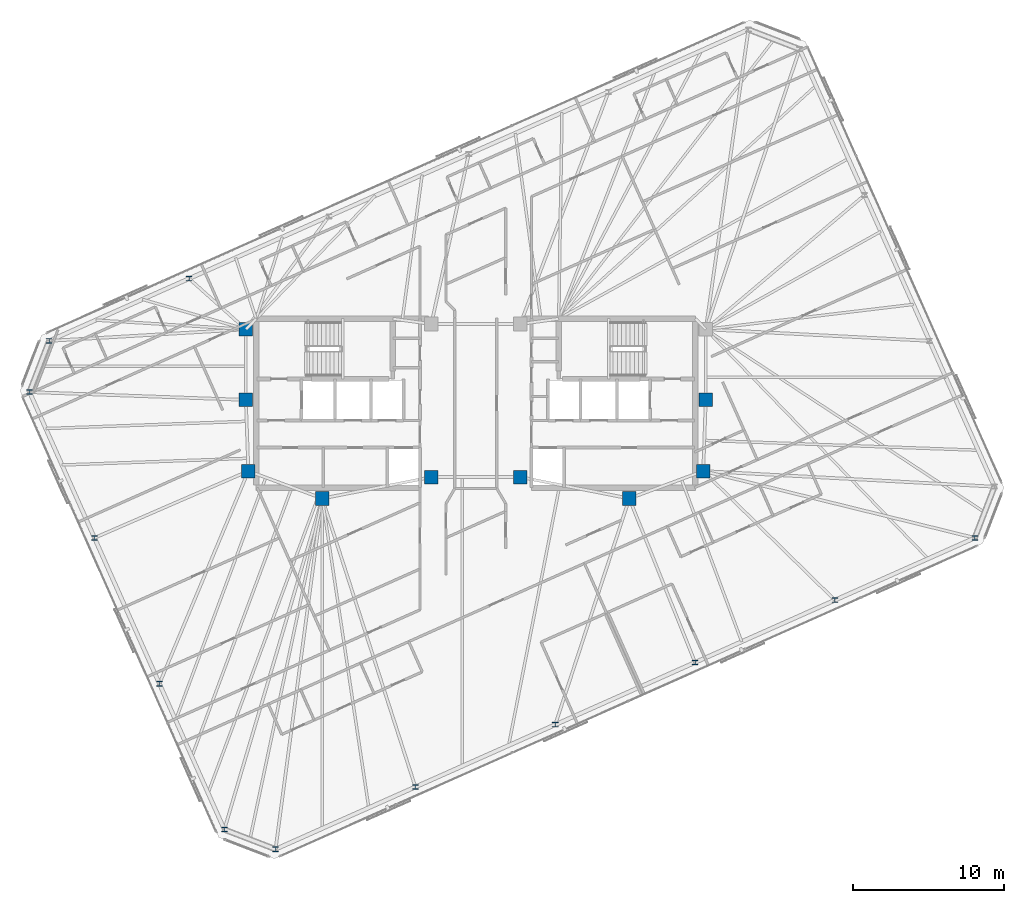
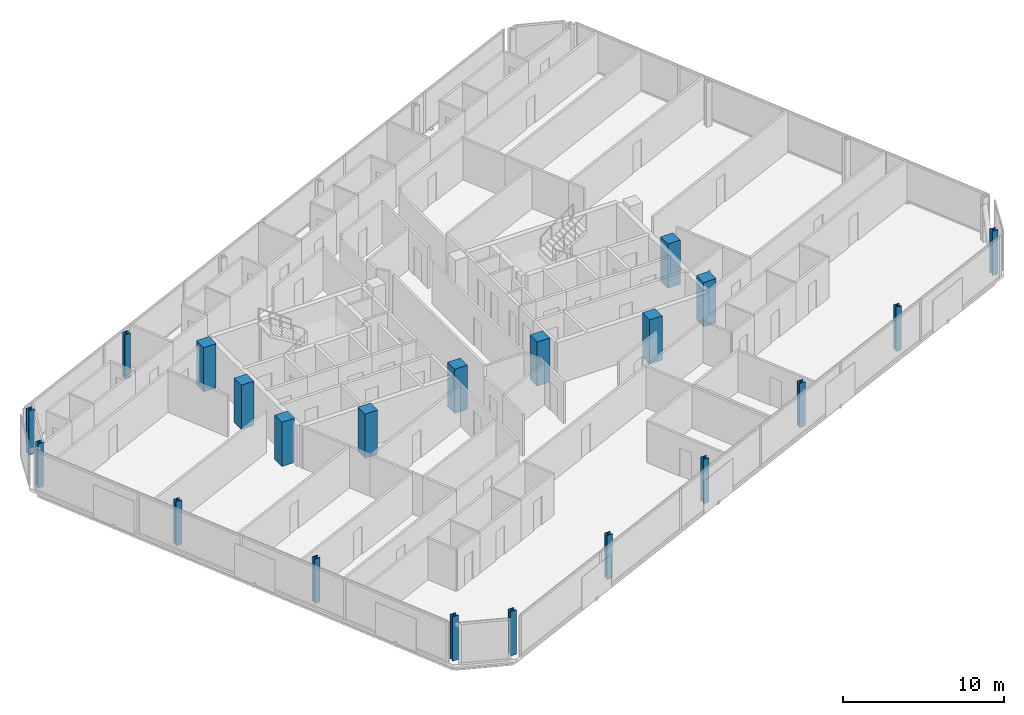
# One storey, part 1 of 19: 21 columns.
"""IFC4 building model written with IfcOpenShell, lengths in metres."""

from ifc_helpers import new_model, si_unit, direction, frame, origin, origin_2d, place, context, subcontext, project, spatial, rectangle, i_section, extrude, material, material_profile, profile_set, type_object, element, save


model = new_model("IFC4")

# Units and contexts
model_context = context("Model", 3, precision=1e-05, world=origin(), true_north=direction((0.0, 1.0)))
body_context = subcontext(model_context, "Body", "Model", "MODEL_VIEW")
ifc_project = project(units=[si_unit("LENGTHUNIT", "METRE"), si_unit("AREAUNIT", "SQUARE_METRE"), si_unit("VOLUMEUNIT", "CUBIC_METRE"), si_unit("PLANEANGLEUNIT", "RADIAN"), si_unit("MASSUNIT", "GRAM", prefix="KILO")], contexts=[model_context])

# Site, building, storey
site_placement = place(None, origin())
site = spatial("IfcSite", under=ifc_project, at=site_placement, CompositionType="ELEMENT")
building_placement = place(site_placement, origin())
building = spatial("IfcBuilding", under=site, at=building_placement, Name="Menara Jurai Vektor", CompositionType="ELEMENT")
storey_placement = place(building_placement, frame((0.0, 0.0, 265.550048828125)))
storey = spatial("IfcBuildingStorey", under=building, at=storey_placement, Name="L71", CompositionType="ELEMENT", Elevation=265.550048828125)

# Columns
ifc_material_1 = material(Name="Concrete C50/60", Category="concrete")
ifc_material_profile_1 = material_profile(ifc_material_1, rectangle(XDim=0.89990234375, YDim=0.89990234375, at=origin_2d()), Name="RC 900x900")
ifc_profile_set_1 = profile_set([ifc_material_profile_1], Name="Concrete C50/60")
column_type_1 = type_object("IfcColumnType", Name="STR-COL-RC900", PredefinedType="COLUMN", material=ifc_profile_set_1)
for number, where, z_axis, x_axis, name in (
    (1, (-15.25, 4.89990234375, 0.0), (0.0, 0.0, 1.0), (1.0, 0.0, 0.0), "Core Spine Column CW-NW L71"),
    (2, (-15.25, 0.219970703125, 0.0), (0.0, 0.0, 1.0), (1.0, 0.0, 0.0), "Core Spine Column CW-WM L71"),
    (3, (-15.080078125, -4.5, 0.0), (0.0, 0.0, 1.0), (1.0, 0.0, 0.0), "Core Spine Column CW-SW L71"),
    (4, (-10.179931640625, -6.320068359375, 0.0), (0.0, 0.0, 1.0), (1.0, 0.0, 0.0), "Core Spine Column CW-SM L71"),
    (5, (-2.949951171875, -4.89990234375, 0.0), (0.0, 0.0, 1.0), (1.0, 0.0, 0.0), "Core Spine Column CW-SE L71"),
    (6, (15.25, 0.219970703125, 0.0), (0.0, 0.0, 1.0), (1.0, 0.0, 0.0), "Core Spine Column CE-EM L71"),
    (7, (15.080078125, -4.5, 0.0), (0.0, 0.0, 1.0), (1.0, 0.0, 0.0), "Core Spine Column CE-SE L71"),
    (8, (10.179931640625, -6.320068359375, 0.0), (0.0, 0.0, 1.0), (1.0, 0.0, 0.0), "Core Spine Column CE-SM L71"),
    (9, (2.949951171875, -4.89990234375, 0.0), (0.0, 0.0, 1.0), (1.0, 0.0, 0.0), "Core Spine Column CE-SW L71"),
):
    element("IfcColumn", number, at=place(storey_placement, frame(where, z_axis=z_axis, x_axis=x_axis)), inside=storey, type_object=column_type_1, Name=name, PredefinedType="COLUMN", context=body_context, shape_type="SweptSolid", body=[
        extrude(rectangle(XDim=0.89990234375, YDim=0.89990234375, at=origin_2d()), origin(), (0.0, 0.0, 1.0), 3.349853515625),
    ])
ifc_material_2 = material(Name="Steel S460", Category="steel")
ifc_material_profile_2 = material_profile(ifc_material_2, i_section(OverallWidth=0.40087890625, OverallDepth=0.3349609375, WebThickness=0.035888671875, FlangeThickness=0.05810546875, FilletRadius=0.014892578125, at=origin_2d()), Name="HD 400x463")
ifc_profile_set_2 = profile_set([ifc_material_profile_2], Name="Steel S460")
column_type_2 = type_object("IfcColumnType", Name="STR-EXO-BLK5", PredefinedType="COLUMN", material=ifc_profile_set_2)
for number, where, z_axis, x_axis, name in (
    (10, (-13.279541015625, -29.576904296875, 0.0), (0.0, 0.0, 1.0), (1.0, 0.0, 0.0), "Exoskeleton Column BLK5-S1 L71"),
    (11, (-4.006103515625, -25.4482421875, 0.0), (0.0, 0.0, 1.0), (1.0, 0.0, 0.0), "Exoskeleton Column BLK5-S2 L71"),
    (12, (5.267578125, -21.3193359375, 0.0), (0.0, 0.0, 1.0), (1.0, 0.0, 0.0), "Exoskeleton Column BLK5-S3 L71"),
    (13, (14.541015625, -17.1904296875, 0.0), (0.0, 0.0, 1.0), (1.0, 0.0, 0.0), "Exoskeleton Column BLK5-S4 L71"),
    (14, (23.814453125, -13.061767578125, 0.0), (0.0, 0.0, 1.0), (1.0, 0.0, 0.0), "Exoskeleton Column BLK5-S5 L71"),
    (15, (33.088134765625, -8.932861328125, 0.0), (0.0, 0.0, 1.0), (1.0, 0.0, 0.0), "Exoskeleton Column BLK5-S6 L71"),
    (16, (-19.0146484375, 8.26171875, 0.0), (0.0, 0.0, 1.0), (1.0, 0.0, 0.0), "Exoskeleton Column BLK5-N5 L71"),
    (17, (-28.2880859375, 4.1328125, 0.0), (0.0, 0.0, 1.0), (1.0, 0.0, 0.0), "Exoskeleton Column BLK5-N6 L71"),
    (18, (-29.591796875, 0.73681640625, 0.0), (0.0, 0.0, 1.0), (1.0, 0.0, 0.0), "Exoskeleton Column BLK5-W1 L71"),
    (19, (-25.286376953125, -8.933349609375, 0.0), (0.0, 0.0, 1.0), (1.0, 0.0, 0.0), "Exoskeleton Column BLK5-W2 L71"),
    (20, (-20.98095703125, -18.603271484375, 0.0), (0.0, 0.0, 1.0), (1.0, 0.0, 0.0), "Exoskeleton Column BLK5-W3 L71"),
    (21, (-16.675537109375, -28.2734375, 0.0), (0.0, 0.0, 1.0), (1.0, 0.0, 0.0), "Exoskeleton Column BLK5-W4 L71"),
):
    element("IfcColumn", number, at=place(storey_placement, frame(where, z_axis=z_axis, x_axis=x_axis)), inside=storey, type_object=column_type_2, Name=name, PredefinedType="COLUMN", context=body_context, shape_type="SweptSolid", body=[
        extrude(i_section(OverallWidth=0.40087890625, OverallDepth=0.3349609375, WebThickness=0.035888671875, FlangeThickness=0.05810546875, FilletRadius=0.014892578125, at=origin_2d()), origin(), (0.0, 0.0, 1.0), 3.349853515625),
    ])

save(model, "model.ifc")
